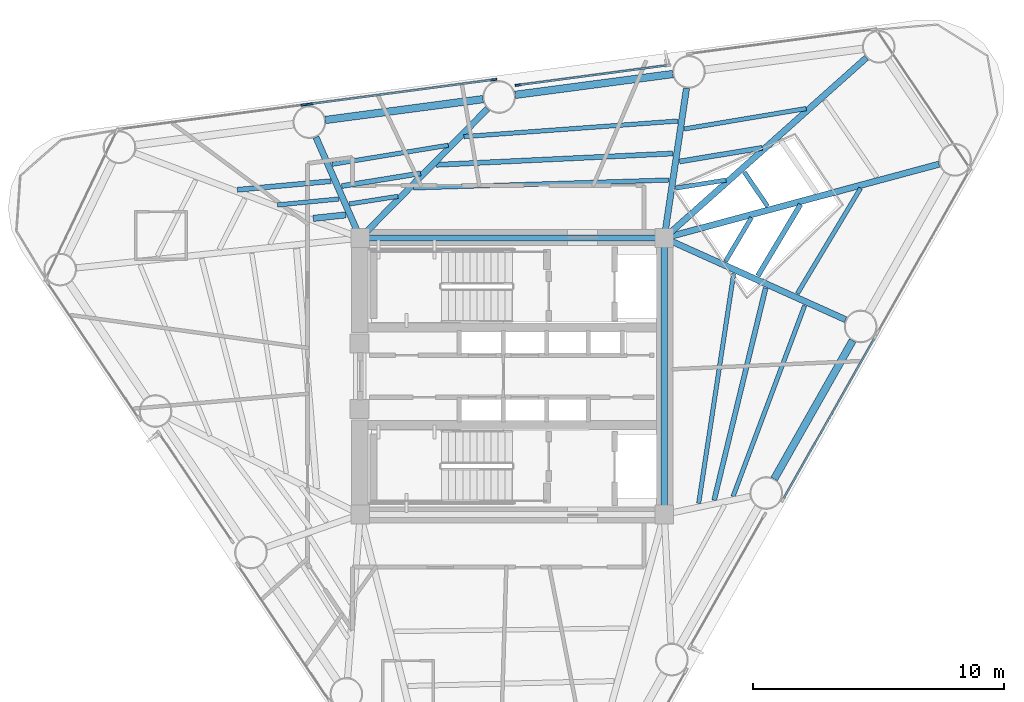
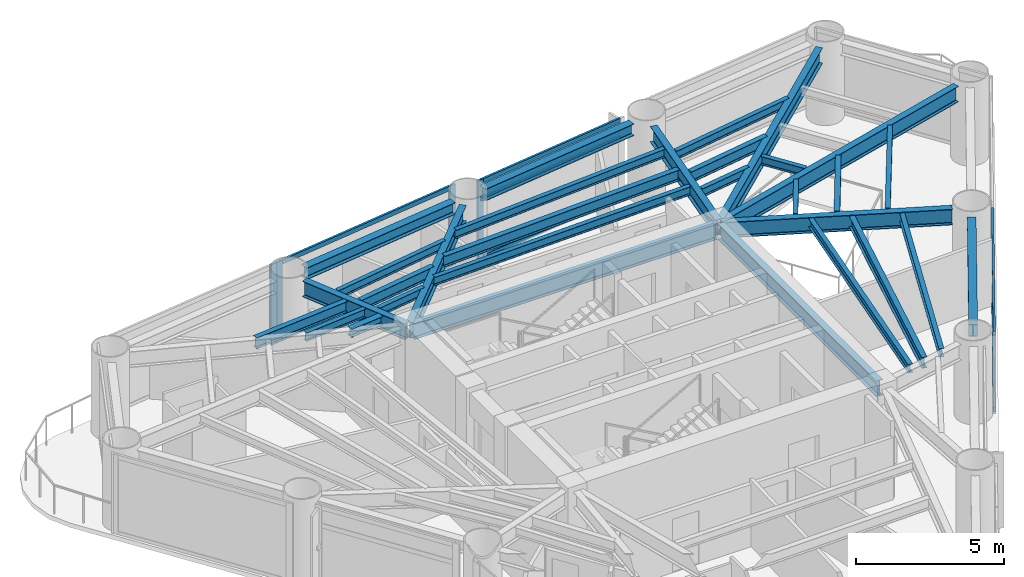
# One storey, part 3 of 10: 30 beams, 11 members, 4 elements without a shape of their own.
"""IFC4 building model written with IfcOpenShell, lengths in metres."""

from ifc_helpers import new_model, si_unit, direction, frame, origin, origin_2d, place, context, subcontext, project, spatial, rectangle, i_section, extrude, source, transform, mapped, material, layer, layer_set, material_profile, profile_set, type_object, element, aggregate, save


model = new_model("IFC4")

# Units and contexts
model_context = context("Model", 3, precision=1e-05, world=origin(), true_north=direction((0.0, 1.0)))
body_context = subcontext(model_context, "Body", "Model", "MODEL_VIEW")
ifc_project = project(units=[si_unit("LENGTHUNIT", "METRE"), si_unit("AREAUNIT", "SQUARE_METRE"), si_unit("VOLUMEUNIT", "CUBIC_METRE"), si_unit("PLANEANGLEUNIT", "RADIAN"), si_unit("MASSUNIT", "GRAM", prefix="KILO")], contexts=[model_context])

# Site, building, storey
site_placement = place(None, origin())
site = spatial("IfcSite", under=ifc_project, at=site_placement, CompositionType="ELEMENT")
building_placement = place(site_placement, origin())
building = spatial("IfcBuilding", under=site, at=building_placement, Name="Yunling Apex Tower", CompositionType="ELEMENT")
storey_placement = place(building_placement, frame((0.0, 0.0, 182.89990234375)))
storey = spatial("IfcBuildingStorey", under=building, at=storey_placement, Name="L45", CompositionType="ELEMENT", Elevation=182.89990234375)

# Beams
ifc_material_1 = material(Name="Steel Q355B", Category="steel")
ifc_material_profile_1 = material_profile(ifc_material_1, i_section(OverallWidth=0.25, OverallDepth=0.64990234375, WebThickness=0.011962890625, FlangeThickness=0.02001953125, FilletRadius=0.02392578125, at=origin_2d()))
ifc_profile_set_1 = profile_set([ifc_material_profile_1], Name="Steel Q355B")
beam_type_1 = type_object("IfcBeamType", Name="BG-PRI-4", PredefinedType="USERDEFINED", material=ifc_profile_set_1)
shared_shape_1 = source(origin(), body_context, "Body", "SweptSolid", [
    extrude(i_section(OverallWidth=0.25, OverallDepth=0.64990234375, WebThickness=0.011962890625, FlangeThickness=0.02001953125, FilletRadius=0.02392578125, at=origin_2d()), origin(), (0.0, 0.0, 1.0), 11.7998046875),
])
beam_1_placement = place(storey_placement, frame((5.89990234375, 5.5, 2.905029296875), z_axis=(-1.0, 0.0, 0.0), x_axis=(0.0, -1.0, 0.0)))
element("IfcBeam", 1, at=beam_1_placement, inside=storey, type_object=beam_type_1, Name="L45 Core Ring Tie Beam 3", ObjectType="GIRDER", PredefinedType="USERDEFINED", context=body_context, shape_type="MappedRepresentation", body=[
    mapped(shared_shape_1, transform((0.0, 0.0, 0.0), scale=1.0)),
])
shared_shape_2 = source(origin(), body_context, "Body", "SweptSolid", [
    extrude(i_section(OverallWidth=0.25, OverallDepth=0.64990234375, WebThickness=0.011962890625, FlangeThickness=0.02001953125, FilletRadius=0.02392578125, at=origin_2d()), origin(), (0.0, 0.0, 1.0), 10.7001953125),
])
beam_2_placement = place(storey_placement, frame((6.050048828125, -5.35009765625, 2.905029296875), z_axis=(0.0, 1.0, 0.0), x_axis=(-1.0, 0.0, 0.0)))
element("IfcBeam", 2, at=beam_2_placement, inside=storey, type_object=beam_type_1, Name="L45 Core Ring Tie Beam 2", ObjectType="GIRDER", PredefinedType="USERDEFINED", context=body_context, shape_type="MappedRepresentation", body=[
    mapped(shared_shape_2, transform((0.0, 0.0, 0.0), scale=1.0)),
])
ifc_material_profile_2 = material_profile(ifc_material_1, i_section(OverallWidth=0.300048828125, OverallDepth=0.489990234375, WebThickness=0.010986328125, FlangeThickness=0.01806640625, FilletRadius=0.02197265625, at=origin_2d()))
ifc_profile_set_2 = profile_set([ifc_material_profile_2], Name="Steel Q355B")
beam_type_2 = type_object("IfcBeamType", Name="BP-SPN-2", PredefinedType="SPANDREL", material=ifc_profile_set_2)
shared_shape_3 = source(origin(), body_context, "Body", "SweptSolid", [
    extrude(i_section(OverallWidth=0.300048828125, OverallDepth=0.489990234375, WebThickness=0.010986328125, FlangeThickness=0.01806640625, FilletRadius=0.02197265625, at=origin_2d()), origin(), (0.0, 0.0, 1.0), 6.332763671875),
])
beam_3_placement = place(storey_placement, frame((10.426513671875, -4.087646484375, 2.985107421875), z_axis=(0.493042725972, 0.870005097897, 0.0), x_axis=(-0.870005097897, 0.493042725972, 0.0)))
element("IfcBeam", 3, at=beam_3_placement, inside=storey, type_object=beam_type_2, Name="L45 Perimeter Spandrel Beam 3", PredefinedType="SPANDREL", context=body_context, shape_type="MappedRepresentation", body=[
    mapped(shared_shape_3, transform((0.0, 0.0, 0.0), scale=1.0)),
])
shared_shape_4 = source(origin(), body_context, "Body", "SweptSolid", [
    extrude(i_section(OverallWidth=0.300048828125, OverallDepth=0.489990234375, WebThickness=0.010986328125, FlangeThickness=0.01806640625, FilletRadius=0.02197265625, at=origin_2d()), origin(), (0.0, 0.0, 1.0), 6.33251953125),
])
for number, where, z_axis, x_axis, name in (
    (4, (6.393798828125, 12.029541015625, 2.985107421875), (-0.991351373324, -0.131234349957, 0.0), (0.131234349957, -0.991351373324, 0.0), "L45 Perimeter Spandrel Beam 7"),
    (5, (-1.160888671875, 11.029541015625, 2.985107421875), (-0.991356388343, -0.131196460665, 0.0), (0.131196460665, -0.991356388343, 0.0), "L45 Perimeter Spandrel Beam 8"),
):
    element("IfcBeam", number, at=place(storey_placement, frame(where, z_axis=z_axis, x_axis=x_axis)), inside=storey, type_object=beam_type_2, Name=name, PredefinedType="SPANDREL", context=body_context, shape_type="MappedRepresentation", body=[
        mapped(shared_shape_4, transform((0.0, 0.0, 0.0), scale=1.0)),
    ])
shared_shape_5 = source(origin(), body_context, "Body", "SweptSolid", [
    extrude(i_section(OverallWidth=0.25, OverallDepth=0.64990234375, WebThickness=0.011962890625, FlangeThickness=0.02001953125, FilletRadius=0.02392578125, at=origin_2d()), origin(), (0.0, 0.0, 1.0), 5.948486328125),
])
beam_4_placement = place(storey_placement, frame((6.935546875, 11.463134765625, 2.905029296875), z_axis=(-0.146889273353, -0.989152941346, 0.0), x_axis=(0.989152941346, -0.146889273353, 0.0)))
element("IfcBeam", 6, at=beam_4_placement, inside=storey, type_object=beam_type_1, Name="L45 Radial Primary Girder R07", ObjectType="GIRDER", PredefinedType="USERDEFINED", context=body_context, shape_type="MappedRepresentation", body=[
    mapped(shared_shape_5, transform((0.0, 0.0, 0.0), scale=1.0)),
])
shared_shape_6 = source(origin(), body_context, "Body", "SweptSolid", [
    extrude(i_section(OverallWidth=0.25, OverallDepth=0.64990234375, WebThickness=0.011962890625, FlangeThickness=0.02001953125, FilletRadius=0.02392578125, at=origin_2d()), origin(), (0.0, 0.0, 1.0), 7.140625),
])
beam_5_placement = place(storey_placement, frame((-0.984130859375, 10.645263671875, 2.905029296875), z_axis=(-0.701580749748, -0.712589960344, 0.0), x_axis=(0.712589960344, -0.701580749748, 0.0)))
element("IfcBeam", 7, at=beam_5_placement, inside=storey, type_object=beam_type_1, Name="L45 Radial Primary Girder R08", ObjectType="GIRDER", PredefinedType="USERDEFINED", context=body_context, shape_type="MappedRepresentation", body=[
    mapped(shared_shape_6, transform((0.0, 0.0, 0.0), scale=1.0)),
])
shared_shape_7 = source(origin(), body_context, "Body", "SweptSolid", [
    extrude(i_section(OverallWidth=0.25, OverallDepth=0.64990234375, WebThickness=0.011962890625, FlangeThickness=0.02001953125, FilletRadius=0.02392578125, at=origin_2d()), origin(), (0.0, 0.0, 1.0), 4.3017578125),
])
beam_6_placement = place(storey_placement, frame((-7.8125, 9.51171875, 2.905029296875), z_axis=(0.402211714237, -0.915546687466, 0.0), x_axis=(0.915546687466, 0.402211714237, 0.0)))
element("IfcBeam", 8, at=beam_6_placement, inside=storey, type_object=beam_type_1, Name="L45 Radial Primary Girder R09", ObjectType="GIRDER", PredefinedType="USERDEFINED", context=body_context, shape_type="MappedRepresentation", body=[
    mapped(shared_shape_7, transform((0.0, 0.0, 0.0), scale=1.0)),
])
ifc_material_profile_3 = material_profile(ifc_material_1, i_section(OverallWidth=0.199951171875, OverallDepth=0.449951171875, WebThickness=0.009033203125, FlangeThickness=0.013916015625, FilletRadius=0.01806640625, at=origin_2d()))
ifc_profile_set_3 = profile_set([ifc_material_profile_3], Name="Steel Q355B")
beam_type_3 = type_object("IfcBeamType", Name="BS-SEC-3", PredefinedType="BEAM", material=ifc_profile_set_3)
shared_shape_8 = source(origin(), body_context, "Body", "SweptSolid", [
    extrude(i_section(OverallWidth=0.199951171875, OverallDepth=0.449951171875, WebThickness=0.009033203125, FlangeThickness=0.013916015625, FilletRadius=0.01806640625, at=origin_2d()), origin(), (0.0, 0.0, 1.0), 3.18310546875),
])
beam_7_placement = place(storey_placement, frame((-3.64697265625, 8.07568359375, 3.005126953125), z_axis=(-0.987204533881, -0.159459111642, 0.0), x_axis=(0.159459111642, -0.987204533881, 0.0)))
element("IfcBeam", 9, at=beam_7_placement, inside=storey, type_object=beam_type_3, Name="L45 Composite Floor Beam BS-8", PredefinedType="BEAM", context=body_context, shape_type="MappedRepresentation", body=[
    mapped(shared_shape_8, transform((0.0, 0.0, 0.0), scale=1.0)),
])
ifc_material_profile_4 = material_profile(ifc_material_1, i_section(OverallWidth=0.175048828125, OverallDepth=0.35009765625, WebThickness=0.007080078125, FlangeThickness=0.010986328125, FilletRadius=0.013916015625, at=origin_2d()))
ifc_profile_set_4 = profile_set([ifc_material_profile_4], Name="Steel Q355B")
beam_type_4 = type_object("IfcBeamType", Name="BJ-JST-1", PredefinedType="JOIST", material=ifc_profile_set_4)
shared_shape_9 = source(origin(), body_context, "Body", "SweptSolid", [
    extrude(i_section(OverallWidth=0.175048828125, OverallDepth=0.35009765625, WebThickness=0.007080078125, FlangeThickness=0.010986328125, FilletRadius=0.013916015625, at=origin_2d()), origin(), (0.0, 0.0, 1.0), 4.6875),
])
beam_8_placement = place(storey_placement, frame((-2.544677734375, 9.194580078125, 3.05517578125), z_axis=(-0.986776909696, -0.162084331414, 0.0), x_axis=(0.162084331414, -0.986776909696, 0.0)))
element("IfcBeam", 10, at=beam_8_placement, inside=storey, type_object=beam_type_4, Name="L45 Composite Floor Joist BJ1-8", PredefinedType="JOIST", context=body_context, shape_type="MappedRepresentation", body=[
    mapped(shared_shape_9, transform((0.0, 0.0, 0.0), scale=1.0)),
])
shared_shape_10 = source(origin(), body_context, "Body", "SweptSolid", [
    extrude(i_section(OverallWidth=0.175048828125, OverallDepth=0.35009765625, WebThickness=0.007080078125, FlangeThickness=0.010986328125, FilletRadius=0.013916015625, at=origin_2d()), origin(), (0.0, 0.0, 1.0), 1.952392578125),
])
beam_9_placement = place(storey_placement, frame((-4.548828125, 7.160400390625, 3.05517578125), z_axis=(-0.98796490296, -0.154678216044, 0.0), x_axis=(0.154678216044, -0.98796490296, 0.0)))
element("IfcBeam", 11, at=beam_9_placement, inside=storey, type_object=beam_type_4, Name="L45 Composite Floor Joist BJ3-8", PredefinedType="JOIST", context=body_context, shape_type="MappedRepresentation", body=[
    mapped(shared_shape_10, transform((0.0, 0.0, 0.0), scale=1.0)),
])
shared_shape_11 = source(origin(), body_context, "Body", "SweptSolid", [
    extrude(i_section(OverallWidth=0.199951171875, OverallDepth=0.449951171875, WebThickness=0.009033203125, FlangeThickness=0.013916015625, FilletRadius=0.01806640625, at=origin_2d()), origin(), (0.0, 0.0, 1.0), 3.749755859375),
])
beam_10_placement = place(storey_placement, frame((-7.21044921875, 7.76416015625, 3.005126953125), z_axis=(-0.995801444966, -0.091539511711, 0.0), x_axis=(0.091539511711, -0.995801444966, 0.0)))
element("IfcBeam", 12, at=beam_10_placement, inside=storey, type_object=beam_type_3, Name="L45 Composite Floor Beam BS-9", PredefinedType="BEAM", context=body_context, shape_type="MappedRepresentation", body=[
    mapped(shared_shape_11, transform((0.0, 0.0, 0.0), scale=1.0)),
])
shared_shape_12 = source(origin(), body_context, "Body", "SweptSolid", [
    extrude(i_section(OverallWidth=0.175048828125, OverallDepth=0.35009765625, WebThickness=0.007080078125, FlangeThickness=0.010986328125, FilletRadius=0.013916015625, at=origin_2d()), origin(), (0.0, 0.0, 1.0), 2.456787109375),
])
beam_11_placement = place(storey_placement, frame((-6.89892578125, 7.054443359375, 3.05517578125), z_axis=(-0.995362299538, -0.096197155147, 0.0), x_axis=(0.096197155147, -0.995362299538, 0.0)))
element("IfcBeam", 13, at=beam_11_placement, inside=storey, type_object=beam_type_4, Name="L45 Composite Floor Joist BJ3-9", PredefinedType="JOIST", context=body_context, shape_type="MappedRepresentation", body=[
    mapped(shared_shape_12, transform((0.0, 0.0, 0.0), scale=1.0)),
])
ifc_material_profile_5 = material_profile(ifc_material_1, i_section(OverallWidth=0.25, OverallDepth=0.340087890625, WebThickness=0.009033203125, FlangeThickness=0.013916015625, FilletRadius=0.01806640625, at=origin_2d()))
ifc_profile_set_5 = profile_set([ifc_material_profile_5], Name="Steel Q355B")
beam_type_5 = type_object("IfcBeamType", Name="BJ-JST-2", PredefinedType="JOIST", material=ifc_profile_set_5)
shared_shape_13 = source(origin(), body_context, "Body", "SweptSolid", [
    extrude(i_section(OverallWidth=0.25, OverallDepth=0.340087890625, WebThickness=0.009033203125, FlangeThickness=0.013916015625, FilletRadius=0.01806640625, at=origin_2d()), origin(), (0.0, 0.0, 1.0), 1.307373046875),
])
beam_12_placement = place(storey_placement, frame((-6.6220703125, 6.422607421875, 3.06005859375), z_axis=(-0.994297843948, -0.106638630521, 0.0), x_axis=(0.106638630521, -0.994297843948, 0.0)))
element("IfcBeam", 14, at=beam_12_placement, inside=storey, type_object=beam_type_5, Name="L45 Composite Floor Joist BJ2-9", PredefinedType="JOIST", context=body_context, shape_type="MappedRepresentation", body=[
    mapped(shared_shape_13, transform((0.0, 0.0, 0.0), scale=1.0)),
])
shared_shape_14 = source(origin(), body_context, "Body", "SweptSolid", [
    extrude(i_section(OverallWidth=0.25, OverallDepth=0.64990234375, WebThickness=0.011962890625, FlangeThickness=0.02001953125, FilletRadius=0.02392578125, at=origin_2d()), origin(), (0.0, 0.0, 1.0), 7.83349609375),
])
beam_13_placement = place(storey_placement, frame((13.266357421875, 2.252197265625, 2.905029296875), z_axis=(-0.911892928514, 0.410428175112, 0.0), x_axis=(-0.410428175112, -0.911892928514, 0.0)))
element("IfcBeam", 15, at=beam_13_placement, inside=storey, type_object=beam_type_1, Name="L45 Radial Primary Girder R04", ObjectType="GIRDER", PredefinedType="USERDEFINED", context=body_context, shape_type="MappedRepresentation", body=[
    mapped(shared_shape_14, transform((0.0, 0.0, 0.0), scale=1.0)),
])
shared_shape_15 = source(origin(), body_context, "Body", "SweptSolid", [
    extrude(i_section(OverallWidth=0.25, OverallDepth=0.64990234375, WebThickness=0.011962890625, FlangeThickness=0.02001953125, FilletRadius=0.02392578125, at=origin_2d()), origin(), (0.0, 0.0, 1.0), 11.24658203125),
])
beam_14_placement = place(storey_placement, frame((16.988037109375, 8.441162109375, 2.905029296875), z_axis=(-0.965697452245, -0.259669849475, 0.0), x_axis=(0.259669849475, -0.965697452245, 0.0)))
element("IfcBeam", 16, at=beam_14_placement, inside=storey, type_object=beam_type_1, Name="L45 Radial Primary Girder R05", ObjectType="GIRDER", PredefinedType="USERDEFINED", context=body_context, shape_type="MappedRepresentation", body=[
    mapped(shared_shape_15, transform((0.0, 0.0, 0.0), scale=1.0)),
])
shared_shape_16 = source(origin(), body_context, "Body", "SweptSolid", [
    extrude(i_section(OverallWidth=0.25, OverallDepth=0.64990234375, WebThickness=0.011962890625, FlangeThickness=0.02001953125, FilletRadius=0.02392578125, at=origin_2d()), origin(), (0.0, 0.0, 1.0), 10.700927734375),
])
beam_15_placement = place(storey_placement, frame((14.095703125, 12.676025390625, 2.905029296875), z_axis=(-0.746291758858, -0.665618968074, 0.0), x_axis=(0.665618968074, -0.746291758858, 0.0)))
element("IfcBeam", 17, at=beam_15_placement, inside=storey, type_object=beam_type_1, Name="L45 Radial Primary Girder R06", ObjectType="GIRDER", PredefinedType="USERDEFINED", context=body_context, shape_type="MappedRepresentation", body=[
    mapped(shared_shape_16, transform((0.0, 0.0, 0.0), scale=1.0)),
])
shared_shape_17 = source(origin(), body_context, "Body", "SweptSolid", [
    extrude(i_section(OverallWidth=0.199951171875, OverallDepth=0.449951171875, WebThickness=0.009033203125, FlangeThickness=0.013916015625, FilletRadius=0.01806640625, at=origin_2d()), origin(), (0.0, 0.0, 1.0), 8.6923828125),
])
beam_16_placement = place(storey_placement, frame((8.03466796875, -4.935791015625, 3.005126953125), z_axis=(0.235927990405, 0.971770540479, 0.0), x_axis=(-0.971770540479, 0.235927990405, 0.0)))
element("IfcBeam", 18, at=beam_16_placement, inside=storey, type_object=beam_type_3, Name="L45 Composite Floor Beam BS-3", PredefinedType="BEAM", context=body_context, shape_type="MappedRepresentation", body=[
    mapped(shared_shape_17, transform((0.0, 0.0, 0.0), scale=1.0)),
])
shared_shape_18 = source(origin(), body_context, "Body", "SweptSolid", [
    extrude(i_section(OverallWidth=0.175048828125, OverallDepth=0.35009765625, WebThickness=0.007080078125, FlangeThickness=0.010986328125, FilletRadius=0.013916015625, at=origin_2d()), origin(), (0.0, 0.0, 1.0), 8.11474609375),
])
beam_17_placement = place(storey_placement, frame((8.787109375, -4.787353515625, 3.05517578125), z_axis=(0.35140697775, 0.936222802536, 0.0), x_axis=(-0.936222802536, 0.35140697775, 0.0)))
element("IfcBeam", 19, at=beam_17_placement, inside=storey, type_object=beam_type_4, Name="L45 Composite Floor Joist BJ1-3", PredefinedType="JOIST", context=body_context, shape_type="MappedRepresentation", body=[
    mapped(shared_shape_18, transform((0.0, 0.0, 0.0), scale=1.0)),
])
shared_shape_19 = source(origin(), body_context, "Body", "SweptSolid", [
    extrude(i_section(OverallWidth=0.175048828125, OverallDepth=0.35009765625, WebThickness=0.007080078125, FlangeThickness=0.010986328125, FilletRadius=0.013916015625, at=origin_2d()), origin(), (0.0, 0.0, 1.0), 9.251953125),
])
beam_18_placement = place(storey_placement, frame((7.42041015625, -5.05908203125, 3.05517578125), z_axis=(0.150569828135, 0.988599376317, 0.0), x_axis=(-0.988599376317, 0.150569828135, 0.0)))
element("IfcBeam", 20, at=beam_18_placement, inside=storey, type_object=beam_type_4, Name="L45 Composite Floor Joist BJ3-3", PredefinedType="JOIST", context=body_context, shape_type="MappedRepresentation", body=[
    mapped(shared_shape_19, transform((0.0, 0.0, 0.0), scale=1.0)),
])
shared_shape_20 = source(origin(), body_context, "Body", "SweptSolid", [
    extrude(i_section(OverallWidth=0.199951171875, OverallDepth=0.449951171875, WebThickness=0.009033203125, FlangeThickness=0.013916015625, FilletRadius=0.01806640625, at=origin_2d()), origin(), (0.0, 0.0, 1.0), 3.31494140625),
])
beam_19_placement = place(storey_placement, frame((9.776611328125, 3.9970703125, 3.005126953125), z_axis=(0.51252320292, 0.858673375894, 0.0), x_axis=(-0.858673375894, 0.51252320292, 0.0)))
element("IfcBeam", 21, at=beam_19_placement, inside=storey, type_object=beam_type_3, Name="L45 Composite Floor Beam BS-4", PredefinedType="BEAM", context=body_context, shape_type="MappedRepresentation", body=[
    mapped(shared_shape_20, transform((0.0, 0.0, 0.0), scale=1.0)),
])
shared_shape_21 = source(origin(), body_context, "Body", "SweptSolid", [
    extrude(i_section(OverallWidth=0.175048828125, OverallDepth=0.35009765625, WebThickness=0.007080078125, FlangeThickness=0.010986328125, FilletRadius=0.013916015625, at=origin_2d()), origin(), (0.0, 0.0, 1.0), 4.893310546875),
])
beam_20_placement = place(storey_placement, frame((11.348388671875, 3.28955078125, 3.05517578125), z_axis=(0.514238934253, 0.857646966122, 0.0), x_axis=(-0.857646966122, 0.514238934253, 0.0)))
element("IfcBeam", 22, at=beam_20_placement, inside=storey, type_object=beam_type_4, Name="L45 Composite Floor Joist BJ1-4", PredefinedType="JOIST", context=body_context, shape_type="MappedRepresentation", body=[
    mapped(shared_shape_21, transform((0.0, 0.0, 0.0), scale=1.0)),
])
shared_shape_22 = source(origin(), body_context, "Body", "SweptSolid", [
    extrude(i_section(OverallWidth=0.175048828125, OverallDepth=0.35009765625, WebThickness=0.007080078125, FlangeThickness=0.010986328125, FilletRadius=0.013916015625, at=origin_2d()), origin(), (0.0, 0.0, 1.0), 2.023681640625),
])
beam_21_placement = place(storey_placement, frame((8.490478515625, 4.576171875, 3.05517578125), z_axis=(0.509359185432, 0.860554019348, 0.0), x_axis=(-0.860554019348, 0.509359185432, 0.0)))
element("IfcBeam", 23, at=beam_21_placement, inside=storey, type_object=beam_type_4, Name="L45 Composite Floor Joist BJ3-4", PredefinedType="JOIST", context=body_context, shape_type="MappedRepresentation", body=[
    mapped(shared_shape_22, transform((0.0, 0.0, 0.0), scale=1.0)),
])
shared_shape_23 = source(origin(), body_context, "Body", "SweptSolid", [
    extrude(i_section(OverallWidth=0.175048828125, OverallDepth=0.35009765625, WebThickness=0.007080078125, FlangeThickness=0.010986328125, FilletRadius=0.013916015625, at=origin_2d()), origin(), (0.0, 0.0, 1.0), 1.651611328125),
])
beam_22_placement = place(storey_placement, frame((10.164306640625, 6.7626953125, 3.05517578125), z_axis=(-0.562928509105, 0.826505592018, 0.0), x_axis=(-0.826505592018, -0.562928509105, 0.0)))
element("IfcBeam", 24, at=beam_22_placement, inside=storey, type_object=beam_type_4, Name="L45 Composite Floor Joist BJ3-5", PredefinedType="JOIST", context=body_context, shape_type="MappedRepresentation", body=[
    mapped(shared_shape_23, transform((0.0, 0.0, 0.0), scale=1.0)),
])
shared_shape_24 = source(origin(), body_context, "Body", "SweptSolid", [
    extrude(i_section(OverallWidth=0.199951171875, OverallDepth=0.449951171875, WebThickness=0.009033203125, FlangeThickness=0.013916015625, FilletRadius=0.01806640625, at=origin_2d()), origin(), (0.0, 0.0, 1.0), 3.33251953125),
])
beam_23_placement = place(storey_placement, frame((9.94482421875, 9.088623046875, 3.005126953125), z_axis=(-0.986710840455, -0.162486052723, 0.0), x_axis=(0.162486052723, -0.986710840455, 0.0)))
element("IfcBeam", 25, at=beam_23_placement, inside=storey, type_object=beam_type_3, Name="L45 Composite Floor Beam BS-6", PredefinedType="BEAM", context=body_context, shape_type="MappedRepresentation", body=[
    mapped(shared_shape_24, transform((0.0, 0.0, 0.0), scale=1.0)),
])
shared_shape_25 = source(origin(), body_context, "Body", "SweptSolid", [
    extrude(i_section(OverallWidth=0.175048828125, OverallDepth=0.35009765625, WebThickness=0.007080078125, FlangeThickness=0.010986328125, FilletRadius=0.013916015625, at=origin_2d()), origin(), (0.0, 0.0, 1.0), 4.9208984375),
])
beam_24_placement = place(storey_placement, frame((11.701904296875, 10.6552734375, 3.05517578125), z_axis=(-0.986250073743, -0.165259771399, 0.0), x_axis=(0.165259771399, -0.986250073743, 0.0)))
element("IfcBeam", 26, at=beam_24_placement, inside=storey, type_object=beam_type_4, Name="L45 Composite Floor Joist BJ1-6", PredefinedType="JOIST", context=body_context, shape_type="MappedRepresentation", body=[
    mapped(shared_shape_25, transform((0.0, 0.0, 0.0), scale=1.0)),
])
shared_shape_26 = source(origin(), body_context, "Body", "SweptSolid", [
    extrude(i_section(OverallWidth=0.175048828125, OverallDepth=0.35009765625, WebThickness=0.007080078125, FlangeThickness=0.010986328125, FilletRadius=0.013916015625, at=origin_2d()), origin(), (0.0, 0.0, 1.0), 2.032958984375),
])
beam_25_placement = place(storey_placement, frame((8.507080078125, 7.807373046875, 3.05517578125), z_axis=(-0.987528161159, -0.157442468598, 0.0), x_axis=(0.157442468598, -0.987528161159, 0.0)))
element("IfcBeam", 27, at=beam_25_placement, inside=storey, type_object=beam_type_4, Name="L45 Composite Floor Joist BJ3-6", PredefinedType="JOIST", context=body_context, shape_type="MappedRepresentation", body=[
    mapped(shared_shape_26, transform((0.0, 0.0, 0.0), scale=1.0)),
])
shared_shape_27 = source(origin(), body_context, "Body", "SweptSolid", [
    extrude(i_section(OverallWidth=0.199951171875, OverallDepth=0.449951171875, WebThickness=0.009033203125, FlangeThickness=0.013916015625, FilletRadius=0.01806640625, at=origin_2d()), origin(), (0.0, 0.0, 1.0), 9.4306640625),
])
beam_26_placement = place(storey_placement, frame((6.391357421875, 8.866455078125, 3.005126953125), z_axis=(-0.99884878645, -0.047969800987, 0.0), x_axis=(0.047969800987, -0.99884878645, 0.0)))
element("IfcBeam", 28, at=beam_26_placement, inside=storey, type_object=beam_type_3, Name="L45 Composite Floor Beam BS-7", PredefinedType="BEAM", context=body_context, shape_type="MappedRepresentation", body=[
    mapped(shared_shape_27, transform((0.0, 0.0, 0.0), scale=1.0)),
])
shared_shape_28 = source(origin(), body_context, "Body", "SweptSolid", [
    extrude(i_section(OverallWidth=0.175048828125, OverallDepth=0.35009765625, WebThickness=0.007080078125, FlangeThickness=0.010986328125, FilletRadius=0.013916015625, at=origin_2d()), origin(), (0.0, 0.0, 1.0), 8.532958984375),
])
beam_27_placement = place(storey_placement, frame((6.583740234375, 10.156982421875, 3.05517578125), z_axis=(-0.997360018136, -0.072615385583, 0.0), x_axis=(0.072615385583, -0.997360018136, 0.0)))
element("IfcBeam", 29, at=beam_27_placement, inside=storey, type_object=beam_type_4, Name="L45 Composite Floor Joist BJ1-7", PredefinedType="JOIST", context=body_context, shape_type="MappedRepresentation", body=[
    mapped(shared_shape_28, transform((0.0, 0.0, 0.0), scale=1.0)),
])
shared_shape_29 = source(origin(), body_context, "Body", "SweptSolid", [
    extrude(i_section(OverallWidth=0.175048828125, OverallDepth=0.35009765625, WebThickness=0.007080078125, FlangeThickness=0.010986328125, FilletRadius=0.013916015625, at=origin_2d()), origin(), (0.0, 0.0, 1.0), 10.169189453125),
])
beam_28_placement = place(storey_placement, frame((6.23388671875, 7.81005859375, 3.05517578125), z_axis=(-0.999521794345, -0.030922202847, 0.0), x_axis=(0.030922202847, -0.999521794345, 0.0)))
element("IfcBeam", 30, at=beam_28_placement, inside=storey, type_object=beam_type_4, Name="L45 Composite Floor Joist BJ3-7", PredefinedType="JOIST", context=body_context, shape_type="MappedRepresentation", body=[
    mapped(shared_shape_29, transform((0.0, 0.0, 0.0), scale=1.0)),
])

# Curtain wall, members
ifc_material_2 = material(Name="Bronze anodised aluminium", Category="aluminium")
ifc_layer = layer(ifc_material_2, 0.239990234375)
ifc_layer_set = layer_set([ifc_layer], Name="Bronze anodised aluminium")
curtain_wall_type = type_object("IfcCurtainWallType", Name="CW-SYS-3", PredefinedType="NOTDEFINED", material=ifc_layer_set)
curtain_wall_1_placement = place(storey_placement, origin())
curtain_wall_1 = element("IfcCurtainWall", 31, at=curtain_wall_1_placement, inside=storey, type_object=curtain_wall_type, Name="CW-L45-F2-B2", PredefinedType="NOTDEFINED")
ifc_material_profile_6 = material_profile(ifc_material_2, rectangle(XDim=0.080078125, YDim=0.18505859375, at=origin_2d()))
ifc_profile_set_6 = profile_set([ifc_material_profile_6], Name="Bronze anodised aluminium")
member_type_1 = type_object("IfcMemberType", Name="CW-TRN-3", PredefinedType="USERDEFINED", material=ifc_profile_set_6)
shared_shape_30 = source(origin(), body_context, "Body", "SweptSolid", [
    extrude(rectangle(XDim=0.080078125, YDim=0.18505859375, at=origin_2d()), origin(), (0.0, 0.0, 1.0), 5.9287109375),
])
member_1_placement = place(storey_placement, frame((6.14501953125, 12.369873046875, 0.0400390625), z_axis=(-0.991356183804, -0.131198006214, 0.0), x_axis=(0.131198006214, -0.991356183804, 0.0)))
member_1 = element("IfcMember", 32, at=member_1_placement, type_object=member_type_1, Name="CW-SYS-3 transom 1.1", ObjectType="TRANSOM", PredefinedType="USERDEFINED", context=body_context, shape_type="MappedRepresentation", body=[
    mapped(shared_shape_30, transform((0.0, 0.0, 0.0), scale=1.0)),
])
member_2_placement = place(storey_placement, frame((6.14501953125, 12.369873046875, 2.454833984375), z_axis=(-0.991356183804, -0.131198006214, 0.0), x_axis=(0.131198006214, -0.991356183804, 0.0)))
member_2 = element("IfcMember", 33, at=member_2_placement, type_object=member_type_1, Name="CW-SYS-3 transom 1.2", ObjectType="TRANSOM", PredefinedType="USERDEFINED", context=body_context, shape_type="MappedRepresentation", body=[
    mapped(shared_shape_30, transform((0.0, 0.0, 0.0), scale=1.0)),
])
member_3_placement = place(storey_placement, frame((6.14501953125, 12.369873046875, 3.190185546875), z_axis=(-0.991356183804, -0.131198006214, 0.0), x_axis=(0.131198006214, -0.991356183804, 0.0)))
member_3 = element("IfcMember", 34, at=member_3_placement, type_object=member_type_1, Name="CW-SYS-3 transom 1.3", ObjectType="TRANSOM", PredefinedType="USERDEFINED", context=body_context, shape_type="MappedRepresentation", body=[
    mapped(shared_shape_30, transform((0.0, 0.0, 0.0), scale=1.0)),
])

curtain_wall_2_placement = place(storey_placement, origin())
curtain_wall_2 = element("IfcCurtainWall", 35, at=curtain_wall_2_placement, inside=storey, type_object=curtain_wall_type, Name="CW-L45-F1-B3", PredefinedType="NOTDEFINED")
shared_shape_31 = source(origin(), body_context, "Body", "SweptSolid", [
    extrude(rectangle(XDim=0.080078125, YDim=0.18505859375, at=origin_2d()), origin(), (0.0, 0.0, 1.0), 7.308837890625),
])
member_4_placement = place(storey_placement, frame((10.8037109375, -4.8623046875, 0.0400390625), z_axis=(0.493042070546, 0.870005469334, 0.0), x_axis=(-0.870005469334, 0.493042070546, 0.0)))
member_4 = element("IfcMember", 36, at=member_4_placement, type_object=member_type_1, Name="CW-SYS-3 transom 1.1", ObjectType="TRANSOM", PredefinedType="USERDEFINED", context=body_context, shape_type="MappedRepresentation", body=[
    mapped(shared_shape_31, transform((0.0, 0.0, 0.0), scale=1.0)),
])
member_5_placement = place(storey_placement, frame((10.8037109375, -4.8623046875, 3.190185546875), z_axis=(0.493042070546, 0.870005469334, 0.0), x_axis=(-0.870005469334, 0.493042070546, 0.0)))
member_5 = element("IfcMember", 37, at=member_5_placement, type_object=member_type_1, Name="CW-SYS-3 transom 1.2", ObjectType="TRANSOM", PredefinedType="USERDEFINED", context=body_context, shape_type="MappedRepresentation", body=[
    mapped(shared_shape_31, transform((0.0, 0.0, 0.0), scale=1.0)),
])
aggregate(curtain_wall_2, [member_4, member_5])

curtain_wall_3_placement = place(storey_placement, origin())
curtain_wall_3 = element("IfcCurtainWall", 38, at=curtain_wall_3_placement, inside=storey, type_object=curtain_wall_type, Name="CW-L45-F2-B3", PredefinedType="NOTDEFINED")
shared_shape_32 = source(origin(), body_context, "Body", "SweptSolid", [
    extrude(rectangle(XDim=0.080078125, YDim=0.18505859375, at=origin_2d()), origin(), (0.0, 0.0, 1.0), 7.30859375),
])
member_6_placement = place(storey_placement, frame((-0.770263671875, 11.797607421875, 0.0400390625), z_axis=(-0.991354063091, -0.131214029714, 0.0), x_axis=(0.131214029714, -0.991354063091, 0.0)))
member_6 = element("IfcMember", 39, at=member_6_placement, type_object=member_type_1, Name="CW-SYS-3 transom 1.1", ObjectType="TRANSOM", PredefinedType="USERDEFINED", context=body_context, shape_type="MappedRepresentation", body=[
    mapped(shared_shape_32, transform((0.0, 0.0, 0.0), scale=1.0)),
])
member_7_placement = place(storey_placement, frame((-0.770263671875, 11.797607421875, 3.190185546875), z_axis=(-0.991354063091, -0.131214029714, 0.0), x_axis=(0.131214029714, -0.991354063091, 0.0)))
member_7 = element("IfcMember", 40, at=member_7_placement, type_object=member_type_1, Name="CW-SYS-3 transom 1.2", ObjectType="TRANSOM", PredefinedType="USERDEFINED", context=body_context, shape_type="MappedRepresentation", body=[
    mapped(shared_shape_32, transform((0.0, 0.0, 0.0), scale=1.0)),
])

# Member
ifc_material_profile_7 = material_profile(ifc_material_2, rectangle(XDim=0.080078125, YDim=0.239990234375, at=origin_2d()))
ifc_profile_set_7 = profile_set([ifc_material_profile_7], Name="Bronze anodised aluminium")
member_type_2 = type_object("IfcMemberType", Name="CW-MUL-3", PredefinedType="MULLION", material=ifc_profile_set_7)
shared_shape_33 = source(origin(), body_context, "Body", "SweptSolid", [
    extrude(rectangle(XDim=0.080078125, YDim=0.239990234375, at=origin_2d()), origin(), (0.0, 0.0, 1.0), 3.329833984375),
])
member_8_placement = place(storey_placement, frame((0.23193359375, 11.587158203125, -0.0498046875), z_axis=(0.0, 0.0, 1.0), x_axis=(0.131204916036, -0.99135526932, 0.0)))
member_8 = element("IfcMember", 41, at=member_8_placement, type_object=member_type_2, Name="CW-SYS-3 mullion 2", PredefinedType="MULLION", context=body_context, shape_type="MappedRepresentation", body=[
    mapped(shared_shape_33, transform((0.0, 0.0, 0.0), scale=1.0)),
])

aggregate(curtain_wall_1, [member_8, member_1, member_2, member_3])

member_9_placement = place(storey_placement, frame((-0.734619140625, 11.80224609375, -0.0498046875), z_axis=(0.0, 0.0, 1.0), x_axis=(0.13120930019, -0.991354689071, 0.0)))
member_9 = element("IfcMember", 42, at=member_9_placement, type_object=member_type_2, Name="CW-SYS-3 mullion 1", PredefinedType="MULLION", context=body_context, shape_type="MappedRepresentation", body=[
    mapped(shared_shape_33, transform((0.0, 0.0, 0.0), scale=1.0)),
])

member_10_placement = place(storey_placement, frame((-8.05126953125, 10.833740234375, -0.0498046875), z_axis=(0.0, 0.0, 1.0), x_axis=(0.13120930019, -0.991354689071, 0.0)))
member_10 = element("IfcMember", 43, at=member_10_placement, type_object=member_type_2, Name="CW-SYS-3 mullion 2", PredefinedType="MULLION", context=body_context, shape_type="MappedRepresentation", body=[
    mapped(shared_shape_33, transform((0.0, 0.0, 0.0), scale=1.0)),
])

aggregate(curtain_wall_3, [member_9, member_10, member_6, member_7])

# Curtain wall, member
curtain_wall_4_placement = place(storey_placement, origin())
curtain_wall_4 = element("IfcCurtainWall", 44, at=curtain_wall_4_placement, inside=storey, type_object=curtain_wall_type, Name="CW-L45-F2-B4", PredefinedType="NOTDEFINED")
member_11_placement = place(storey_placement, frame((-8.289306640625, 10.80224609375, -0.0498046875), z_axis=(0.0, 0.0, 1.0), x_axis=(0.131222473138, -0.991352945496, 0.0)))
member_11 = element("IfcMember", 45, at=member_11_placement, type_object=member_type_2, Name="CW-SYS-3 mullion 1", PredefinedType="MULLION", context=body_context, shape_type="MappedRepresentation", body=[
    mapped(shared_shape_33, transform((0.0, 0.0, 0.0), scale=1.0)),
])
aggregate(curtain_wall_4, [member_11])

save(model, "model.ifc")
